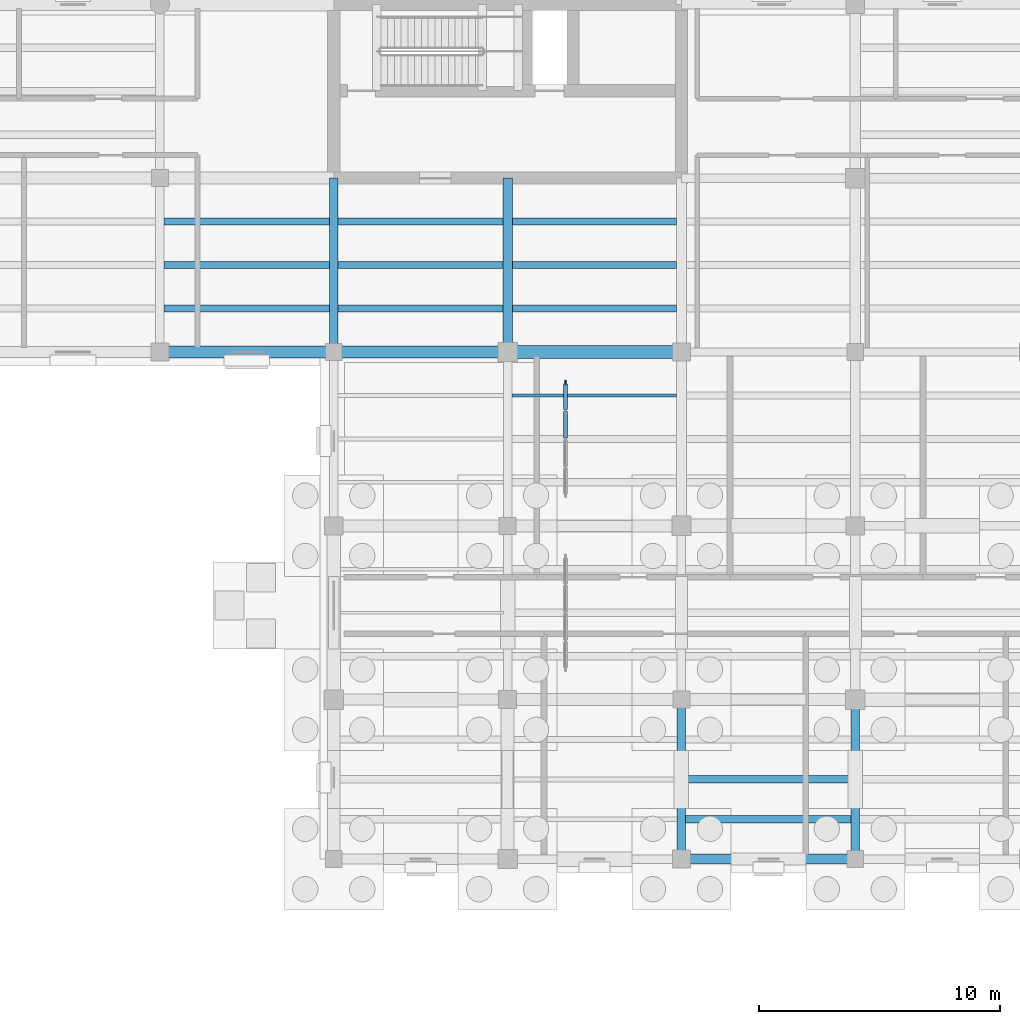
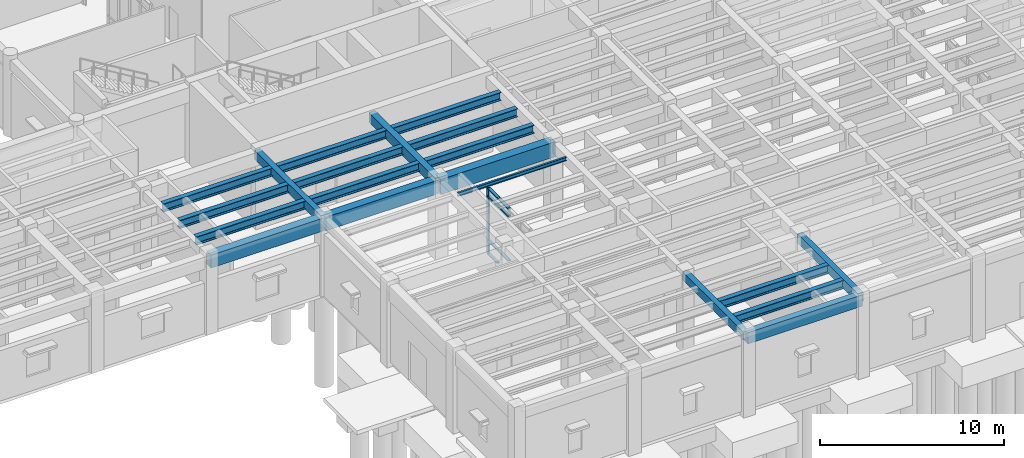
# One storey, part 15 of 100: 20 beams, 8 members, 1 element without a shape of its own.
"""IFC4 building model written with IfcOpenShell, lengths in metres."""

from ifc_helpers import new_model, si_unit, direction, frame, origin, origin_2d, place, context, subcontext, project, spatial, rectangle, i_section, extrude, material, material_profile, profile_set, type_object, element, aggregate, save


model = new_model("IFC4")

# Units and contexts
model_context = context("Model", 3, precision=1e-05, world=origin(), true_north=direction((0.0, 1.0)))
body_context = subcontext(model_context, "Body", "Model", "MODEL_VIEW")
ifc_project = project(units=[si_unit("LENGTHUNIT", "METRE"), si_unit("AREAUNIT", "SQUARE_METRE"), si_unit("VOLUMEUNIT", "CUBIC_METRE"), si_unit("PLANEANGLEUNIT", "RADIAN"), si_unit("MASSUNIT", "GRAM", prefix="KILO")], contexts=[model_context])

# Site, building, storey
site_placement = place(None, origin())
site = spatial("IfcSite", under=ifc_project, at=site_placement, CompositionType="ELEMENT")
building_placement = place(site_placement, origin())
building = spatial("IfcBuilding", under=site, at=building_placement, Name="Mithqara Police Headquarters", CompositionType="ELEMENT")
storey_placement = place(building_placement, origin())
storey = spatial("IfcBuildingStorey", under=building, at=storey_placement, Name="L00", CompositionType="ELEMENT", Elevation=0.0)

# Beams
ifc_material_1 = material(Name="Steel S355JR", Category="steel")
ifc_material_profile_1 = material_profile(ifc_material_1, i_section(OverallWidth=0.300048828125, OverallDepth=0.550048828125, WebThickness=0.014892578125, FlangeThickness=0.029052734375, FilletRadius=0.027099609375, at=origin_2d()), Name="HEB 550")
ifc_profile_set_1 = profile_set([ifc_material_profile_1], Name="Steel S355JR")
beam_type_1 = type_object("IfcBeamType", Name="BEAM HEB550", PredefinedType="BEAM", material=ifc_profile_set_1)
for number, where, z_axis, x_axis, name in (
    (1, (72.77490234375, 22.800048828125, 4.844970703125), (1.0, 0.0, 0.0), (0.0, 1.0, 0.0), "L00 Composite Steel Joist 11-12/D.1"),
    (2, (72.77490234375, 24.60009765625, 4.844970703125), (1.0, 0.0, 0.0), (0.0, 1.0, 0.0), "L00 Composite Steel Joist 11-12/D.2"),
    (3, (72.77490234375, 26.39990234375, 4.844970703125), (1.0, 0.0, 0.0), (0.0, 1.0, 0.0), "L00 Composite Steel Joist 11-12/D.3"),
):
    element("IfcBeam", number, at=place(storey_placement, frame(where, z_axis=z_axis, x_axis=x_axis)), inside=storey, type_object=beam_type_1, Name=name, PredefinedType="BEAM", context=body_context, shape_type="SweptSolid", body=[
        extrude(i_section(OverallWidth=0.300048828125, OverallDepth=0.550048828125, WebThickness=0.014892578125, FlangeThickness=0.029052734375, FilletRadius=0.027099609375, at=origin_2d()), origin(), (0.0, 0.0, 1.0), 6.85009765625),
    ])
for number, where, z_axis, x_axis, name in (
    (4, (79.97509765625, 22.800048828125, 4.844970703125), (1.0, 0.0, 0.0), (0.0, 1.0, 0.0), "L00 Composite Steel Joist 12-13/D.1"),
    (5, (79.97509765625, 24.60009765625, 4.844970703125), (1.0, 0.0, 0.0), (0.0, 1.0, 0.0), "L00 Composite Steel Joist 12-13/D.2"),
    (6, (79.97509765625, 26.39990234375, 4.844970703125), (1.0, 0.0, 0.0), (0.0, 1.0, 0.0), "L00 Composite Steel Joist 12-13/D.3"),
):
    element("IfcBeam", number, at=place(storey_placement, frame(where, z_axis=z_axis, x_axis=x_axis)), inside=storey, type_object=beam_type_1, Name=name, PredefinedType="BEAM", context=body_context, shape_type="SweptSolid", body=[
        extrude(i_section(OverallWidth=0.300048828125, OverallDepth=0.550048828125, WebThickness=0.014892578125, FlangeThickness=0.029052734375, FilletRadius=0.027099609375, at=origin_2d()), origin(), (0.0, 0.0, 1.0), 6.824951171875),
    ])
for number, where, z_axis, x_axis, name in (
    (7, (87.199951171875, 22.800048828125, 4.844970703125), (1.0, 0.0, 0.0), (0.0, 1.0, 0.0), "L00 Composite Steel Joist 13-14/D.1"),
    (8, (87.199951171875, 24.60009765625, 4.844970703125), (1.0, 0.0, 0.0), (0.0, 1.0, 0.0), "L00 Composite Steel Joist 13-14/D.2"),
    (9, (87.199951171875, 26.39990234375, 4.844970703125), (1.0, 0.0, 0.0), (0.0, 1.0, 0.0), "L00 Composite Steel Joist 13-14/D.3"),
):
    element("IfcBeam", number, at=place(storey_placement, frame(where, z_axis=z_axis, x_axis=x_axis)), inside=storey, type_object=beam_type_1, Name=name, PredefinedType="BEAM", context=body_context, shape_type="SweptSolid", body=[
        extrude(i_section(OverallWidth=0.300048828125, OverallDepth=0.550048828125, WebThickness=0.014892578125, FlangeThickness=0.029052734375, FilletRadius=0.027099609375, at=origin_2d()), origin(), (0.0, 0.0, 1.0), 6.800048828125),
    ])
for number, where, z_axis, x_axis, name in (
    (10, (94.375, 1.64990234375, 4.844970703125), (1.0, 0.0, 0.0), (0.0, 1.0, 0.0), "L00 Composite Steel Joist 14-15/A.1"),
    (11, (94.375, 3.300048828125, 4.844970703125), (1.0, 0.0, 0.0), (0.0, 1.0, 0.0), "L00 Composite Steel Joist 14-15/A.2"),
):
    element("IfcBeam", number, at=place(storey_placement, frame(where, z_axis=z_axis, x_axis=x_axis)), inside=storey, type_object=beam_type_1, Name=name, PredefinedType="BEAM", context=body_context, shape_type="SweptSolid", body=[
        extrude(i_section(OverallWidth=0.300048828125, OverallDepth=0.550048828125, WebThickness=0.014892578125, FlangeThickness=0.029052734375, FilletRadius=0.027099609375, at=origin_2d()), origin(), (0.0, 0.0, 1.0), 6.85009765625),
    ])
ifc_material_2 = material(Name="Concrete C40/50", Category="concrete")
ifc_material_profile_2 = material_profile(ifc_material_2, rectangle(XDim=0.35009765625, YDim=0.550048828125, at=origin_2d()), Name="RC 350x550")
ifc_profile_set_2 = profile_set([ifc_material_profile_2], Name="Concrete C40/50")
beam_type_2 = type_object("IfcBeamType", Name="BEAM RC350X550", PredefinedType="BEAM", material=ifc_profile_set_2)
beam_1_placement = place(storey_placement, frame((94.199951171875, 0.0, 4.844970703125), z_axis=(0.0, 1.0, 0.0), x_axis=(-1.0, 0.0, 0.0)))
element("IfcBeam", 12, at=beam_1_placement, inside=storey, type_object=beam_type_2, Name="L00 Girder 14/A-B", PredefinedType="BEAM", context=body_context, shape_type="SweptSolid", body=[
    extrude(rectangle(XDim=0.35009765625, YDim=0.550048828125, at=origin_2d()), origin(), (0.0, 0.0, 1.0), 6.60009765625),
])
ifc_material_profile_3 = material_profile(ifc_material_2, rectangle(XDim=0.35009765625, YDim=0.60009765625, at=origin_2d()), Name="RC 350x600")
ifc_profile_set_3 = profile_set([ifc_material_profile_3], Name="Concrete C40/50")
beam_type_3 = type_object("IfcBeamType", Name="BEAM RC350X600", PredefinedType="BEAM", material=ifc_profile_set_3)
beam_2_placement = place(storey_placement, frame((79.800048828125, 21.0, 4.820068359375), z_axis=(0.0, 1.0, 0.0), x_axis=(-1.0, 0.0, 0.0)))
element("IfcBeam", 13, at=beam_2_placement, inside=storey, type_object=beam_type_3, Name="L00 Girder 12/D-E", PredefinedType="BEAM", context=body_context, shape_type="SweptSolid", body=[
    extrude(rectangle(XDim=0.35009765625, YDim=0.60009765625, at=origin_2d()), origin(), (0.0, 0.0, 1.0), 7.199951171875),
])
beam_3_placement = place(storey_placement, frame((101.39990234375, 0.0, 4.820068359375), z_axis=(0.0, 1.0, 0.0), x_axis=(-1.0, 0.0, 0.0)))
element("IfcBeam", 14, at=beam_3_placement, inside=storey, type_object=beam_type_3, Name="L00 Girder 15/A-B", PredefinedType="BEAM", context=body_context, shape_type="SweptSolid", body=[
    extrude(rectangle(XDim=0.35009765625, YDim=0.60009765625, at=origin_2d()), origin(), (0.0, 0.0, 1.0), 6.60009765625),
])
ifc_material_profile_4 = material_profile(ifc_material_2, rectangle(XDim=0.39990234375, YDim=0.64990234375, at=origin_2d()), Name="RC 400x650")
ifc_profile_set_4 = profile_set([ifc_material_profile_4], Name="Concrete C40/50")
beam_type_4 = type_object("IfcBeamType", Name="BEAM RC400X650", PredefinedType="BEAM", material=ifc_profile_set_4)
beam_4_placement = place(storey_placement, frame((87.0, 21.0, 4.794921875), z_axis=(0.0, 1.0, 0.0), x_axis=(-1.0, 0.0, 0.0)))
element("IfcBeam", 15, at=beam_4_placement, inside=storey, type_object=beam_type_4, Name="L00 Girder 13/D-E", PredefinedType="BEAM", context=body_context, shape_type="SweptSolid", body=[
    extrude(rectangle(XDim=0.39990234375, YDim=0.64990234375, at=origin_2d()), origin(), (0.0, 0.0, 1.0), 7.199951171875),
])
ifc_material_profile_5 = material_profile(ifc_material_2, rectangle(XDim=0.5, YDim=0.85009765625, at=origin_2d()), Name="RC 500x850")
ifc_profile_set_5 = profile_set([ifc_material_profile_5], Name="Concrete C40/50")
beam_type_5 = type_object("IfcBeamType", Name="BEAM RC500X850", PredefinedType="BEAM", material=ifc_profile_set_5)
beam_5_placement = place(storey_placement, frame((72.60009765625, 21.0, 4.695068359375), z_axis=(1.0, 0.0, 0.0), x_axis=(0.0, 1.0, 0.0)))
element("IfcBeam", 16, at=beam_5_placement, inside=storey, type_object=beam_type_5, Name="L00 Girder 11-12/D", PredefinedType="BEAM", context=body_context, shape_type="SweptSolid", body=[
    extrude(rectangle(XDim=0.5, YDim=0.85009765625, at=origin_2d()), origin(), (0.0, 0.0, 1.0), 7.199951171875),
])
ifc_material_3 = material(Name="Concrete C50/60", Category="concrete")
ifc_material_profile_6 = material_profile(ifc_material_3, rectangle(XDim=0.5, YDim=0.89990234375, at=origin_2d()), Name="RC 500x900")
ifc_profile_set_6 = profile_set([ifc_material_profile_6], Name="Concrete C50/60")
beam_type_6 = type_object("IfcBeamType", Name="BEAM RC500X900", PredefinedType="BEAM", material=ifc_profile_set_6)
beam_6_placement = place(storey_placement, frame((79.800048828125, 21.0, 4.669921875), z_axis=(1.0, 0.0, 0.0), x_axis=(0.0, 1.0, 0.0)))
element("IfcBeam", 17, at=beam_6_placement, inside=storey, type_object=beam_type_6, Name="L00 Girder 12-13/D", PredefinedType="BEAM", context=body_context, shape_type="SweptSolid", body=[
    extrude(rectangle(XDim=0.5, YDim=0.89990234375, at=origin_2d()), origin(), (0.0, 0.0, 1.0), 7.199951171875),
])
ifc_material_profile_7 = material_profile(ifc_material_3, rectangle(XDim=0.550048828125, YDim=1.0, at=origin_2d()), Name="RC 550x1000")
ifc_profile_set_7 = profile_set([ifc_material_profile_7], Name="Concrete C50/60")
beam_type_7 = type_object("IfcBeamType", Name="BEAM RC550X1000", PredefinedType="BEAM", material=ifc_profile_set_7)
beam_7_placement = place(storey_placement, frame((87.0, 21.0, 4.6201171875), z_axis=(1.0, 0.0, 0.0), x_axis=(0.0, 1.0, 0.0)))
element("IfcBeam", 18, at=beam_7_placement, inside=storey, type_object=beam_type_7, Name="L00 Girder 13-14/D", PredefinedType="BEAM", context=body_context, shape_type="SweptSolid", body=[
    extrude(rectangle(XDim=0.550048828125, YDim=1.0, at=origin_2d()), origin(), (0.0, 0.0, 1.0), 7.199951171875),
])

# Curtain wall, members
ifc_material_4 = material(Name="Bronze anodised aluminium 6063-T6", Category="aluminium")
curtain_wall_type = type_object("IfcCurtainWallType", Name="CURTAIN WALL 4700X4400", PredefinedType="USERDEFINED", material=ifc_material_4)
curtain_wall_placement = place(storey_placement, origin())
curtain_wall = element("IfcCurtainWall", 19, at=curtain_wall_placement, inside=storey, type_object=curtain_wall_type, Name="L00 Unitised Glazing CW-14 (CW-INT-L00-X12-Y02-0)", ObjectType="UNITISED GLAZING", PredefinedType="USERDEFINED")
ifc_material_profile_8 = material_profile(ifc_material_4, rectangle(XDim=0.074951171875, YDim=0.219970703125, at=origin_2d()), Name="CWM 75x220")
ifc_profile_set_8 = profile_set([ifc_material_profile_8], Name="Bronze anodised aluminium 6063-T6")
member_type_1 = type_object("IfcMemberType", Name="CWMULLION 75X220", PredefinedType="MULLION", material=ifc_profile_set_8)
member_1_placement = place(storey_placement, frame((89.39990234375, 19.71240234375, 0.0), z_axis=(0.0, 0.0, 1.0), x_axis=(-1.0, 0.0, 0.0)))
member_1 = element("IfcMember", 20, at=member_1_placement, type_object=member_type_1, Name="CW-14 mullion 5", PredefinedType="MULLION", context=body_context, shape_type="SweptSolid", body=[
    extrude(rectangle(XDim=0.074951171875, YDim=0.219970703125, at=origin_2d()), origin(), (0.0, 0.0, 1.0), 4.39990234375),
])
ifc_material_profile_9 = material_profile(ifc_material_4, rectangle(XDim=0.179931640625, YDim=0.074951171875, at=origin_2d()), Name="CWT 180x75")
ifc_profile_set_9 = profile_set([ifc_material_profile_9], Name="Bronze anodised aluminium 6063-T6")
member_type_2 = type_object("IfcMemberType", Name="CWTRANSOM 180X75", PredefinedType="USERDEFINED", material=ifc_profile_set_9)
member_2_placement = place(storey_placement, frame((89.39990234375, 17.4375, 0.89990234375), z_axis=(0.0, 1.0, 0.0), x_axis=(-1.0, 0.0, 0.0)))
member_2 = element("IfcMember", 21, at=member_2_placement, type_object=member_type_2, Name="CW-14 transom 3.2", ObjectType="TRANSOM", PredefinedType="USERDEFINED", context=body_context, shape_type="SweptSolid", body=[
    extrude(rectangle(XDim=0.179931640625, YDim=0.074951171875, at=origin_2d()), origin(), (0.0, 0.0, 1.0), 1.10009765625),
])
member_3_placement = place(storey_placement, frame((89.39990234375, 17.4375, 3.85009765625), z_axis=(0.0, 1.0, 0.0), x_axis=(-1.0, 0.0, 0.0)))
member_3 = element("IfcMember", 22, at=member_3_placement, type_object=member_type_2, Name="CW-14 transom 3.3", ObjectType="TRANSOM", PredefinedType="USERDEFINED", context=body_context, shape_type="SweptSolid", body=[
    extrude(rectangle(XDim=0.179931640625, YDim=0.074951171875, at=origin_2d()), origin(), (0.0, 0.0, 1.0), 1.10009765625),
])
member_4_placement = place(storey_placement, frame((89.39990234375, 17.4375, 4.362548828125), z_axis=(0.0, 1.0, 0.0), x_axis=(-1.0, 0.0, 0.0)))
member_4 = element("IfcMember", 23, at=member_4_placement, type_object=member_type_2, Name="CW-14 transom 3.4", ObjectType="TRANSOM", PredefinedType="USERDEFINED", context=body_context, shape_type="SweptSolid", body=[
    extrude(rectangle(XDim=0.179931640625, YDim=0.074951171875, at=origin_2d()), origin(), (0.0, 0.0, 1.0), 1.10009765625),
])
member_5_placement = place(storey_placement, frame((89.39990234375, 18.612548828125, 0.03759765625), z_axis=(0.0, 1.0, 0.0), x_axis=(-1.0, 0.0, 0.0)))
member_5 = element("IfcMember", 24, at=member_5_placement, type_object=member_type_2, Name="CW-14 transom 4.1", ObjectType="TRANSOM", PredefinedType="USERDEFINED", context=body_context, shape_type="SweptSolid", body=[
    extrude(rectangle(XDim=0.179931640625, YDim=0.074951171875, at=origin_2d()), origin(), (0.0, 0.0, 1.0), 1.0625),
])
member_6_placement = place(storey_placement, frame((89.39990234375, 18.612548828125, 0.89990234375), z_axis=(0.0, 1.0, 0.0), x_axis=(-1.0, 0.0, 0.0)))
member_6 = element("IfcMember", 25, at=member_6_placement, type_object=member_type_2, Name="CW-14 transom 4.2", ObjectType="TRANSOM", PredefinedType="USERDEFINED", context=body_context, shape_type="SweptSolid", body=[
    extrude(rectangle(XDim=0.179931640625, YDim=0.074951171875, at=origin_2d()), origin(), (0.0, 0.0, 1.0), 1.0625),
])
member_7_placement = place(storey_placement, frame((89.39990234375, 18.612548828125, 3.85009765625), z_axis=(0.0, 1.0, 0.0), x_axis=(-1.0, 0.0, 0.0)))
member_7 = element("IfcMember", 26, at=member_7_placement, type_object=member_type_2, Name="CW-14 transom 4.3", ObjectType="TRANSOM", PredefinedType="USERDEFINED", context=body_context, shape_type="SweptSolid", body=[
    extrude(rectangle(XDim=0.179931640625, YDim=0.074951171875, at=origin_2d()), origin(), (0.0, 0.0, 1.0), 1.0625),
])
member_8_placement = place(storey_placement, frame((89.39990234375, 18.612548828125, 4.362548828125), z_axis=(0.0, 1.0, 0.0), x_axis=(-1.0, 0.0, 0.0)))
member_8 = element("IfcMember", 27, at=member_8_placement, type_object=member_type_2, Name="CW-14 transom 4.4", ObjectType="TRANSOM", PredefinedType="USERDEFINED", context=body_context, shape_type="SweptSolid", body=[
    extrude(rectangle(XDim=0.179931640625, YDim=0.074951171875, at=origin_2d()), origin(), (0.0, 0.0, 1.0), 1.0625),
])
aggregate(curtain_wall, [member_1, member_2, member_3, member_4, member_5, member_6, member_7, member_8])

# Beams
ifc_material_profile_10 = material_profile(ifc_material_1, i_section(OverallWidth=0.1201171875, OverallDepth=0.239990234375, WebThickness=0.006103515625, FlangeThickness=0.009765625, FilletRadius=0.014892578125, at=origin_2d()), Name="IPE 240")
ifc_profile_set_10 = profile_set([ifc_material_profile_10], Name="Steel S355JR")
beam_type_8 = type_object("IfcBeamType", Name="JOIST IPE240", PredefinedType="JOIST", material=ifc_profile_set_10)
beam_8_placement = place(storey_placement, frame((87.175048828125, 19.199951171875, 5.0), z_axis=(1.0, 0.0, 0.0), x_axis=(0.0, 1.0, 0.0)))
element("IfcBeam", 28, at=beam_8_placement, inside=storey, type_object=beam_type_8, Name="L00 Composite Steel Joist 13-14/C.3", PredefinedType="JOIST", context=body_context, shape_type="SweptSolid", body=[
    extrude(i_section(OverallWidth=0.1201171875, OverallDepth=0.239990234375, WebThickness=0.006103515625, FlangeThickness=0.009765625, FilletRadius=0.014892578125, at=origin_2d()), origin(), (0.0, 0.0, 1.0), 6.824951171875),
])
ifc_material_profile_11 = material_profile(ifc_material_2, rectangle(XDim=0.39990234375, YDim=0.75, at=origin_2d()), Name="SPB 400x750")
ifc_profile_set_11 = profile_set([ifc_material_profile_11], Name="Concrete C40/50")
beam_type_9 = type_object("IfcBeamType", Name="SPANDREL 400X750", PredefinedType="SPANDREL", material=ifc_profile_set_11)
beam_9_placement = place(storey_placement, frame((94.199951171875, 0.0, 4.7451171875), z_axis=(1.0, 0.0, 0.0), x_axis=(0.0, 1.0, 0.0)))
element("IfcBeam", 29, at=beam_9_placement, inside=storey, type_object=beam_type_9, Name="L00 Girder 14-15/A", PredefinedType="SPANDREL", context=body_context, shape_type="SweptSolid", body=[
    extrude(rectangle(XDim=0.39990234375, YDim=0.75, at=origin_2d()), origin(), (0.0, 0.0, 1.0), 7.199951171875),
])

save(model, "model.ifc")
